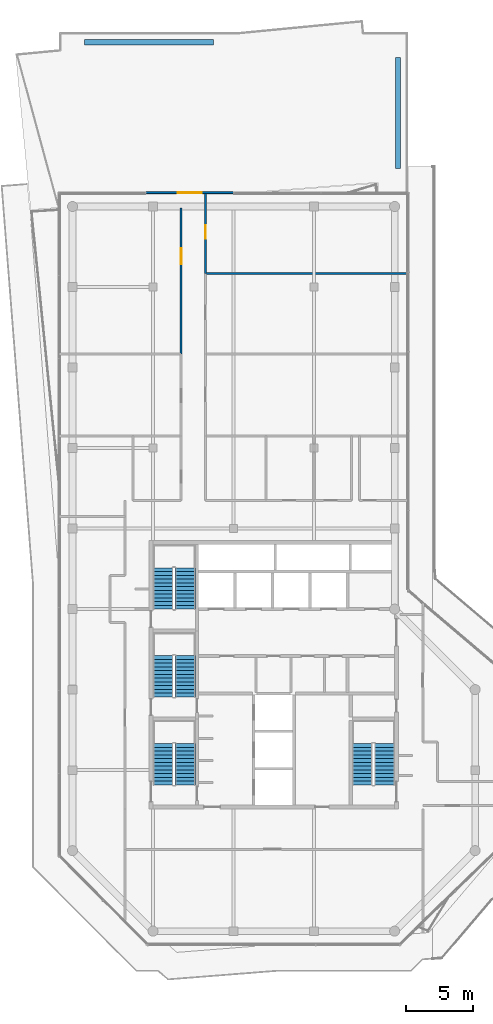
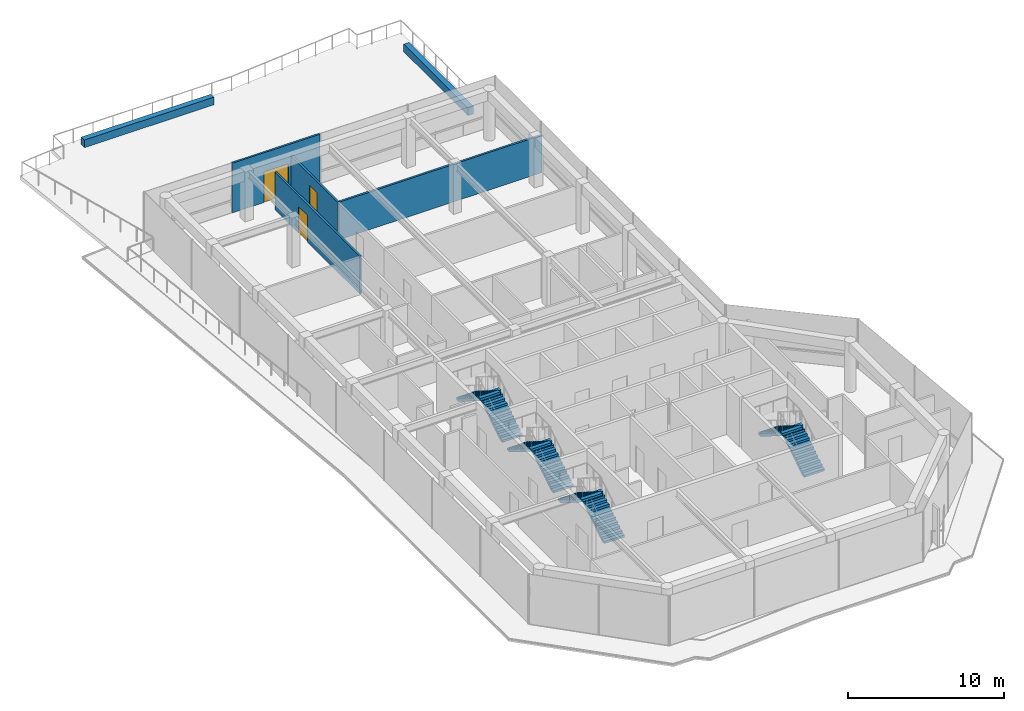
# One storey, part 18 of 20: 8 stair flights, 6 walls, 3 doors, 3 openings, 4 elements without a shape of their own.
"""IFC4 building model written with IfcOpenShell, lengths in metres."""

from ifc_helpers import new_model, si_unit, direction, frame, frame_2d, origin, place, context, subcontext, project, spatial, polyline, rectangle, outline, extrude, material, layer, layer_set, type_object, element, fill, aggregate, save


model = new_model("IFC4")

# Units and contexts
model_context = context("Model", 3, precision=1e-05, world=origin(), true_north=direction((0.0, 1.0)))
body_context = subcontext(model_context, "Body", "Model", "MODEL_VIEW")
ifc_project = project(units=[si_unit("LENGTHUNIT", "METRE"), si_unit("AREAUNIT", "SQUARE_METRE"), si_unit("VOLUMEUNIT", "CUBIC_METRE"), si_unit("PLANEANGLEUNIT", "RADIAN"), si_unit("MASSUNIT", "GRAM", prefix="KILO")], contexts=[model_context])

# Site, building, storey
site_placement = place(None, origin())
site = spatial("IfcSite", under=ifc_project, at=site_placement, CompositionType="ELEMENT")
building_placement = place(site_placement, origin())
building = spatial("IfcBuilding", under=site, at=building_placement, Name="Welwitschia Terrace Campus", CompositionType="ELEMENT")
storey_placement = place(building_placement, frame((0.0, 0.0, 314.60009765625)))
storey = spatial("IfcBuildingStorey", under=building, at=storey_placement, Name="L70", CompositionType="ELEMENT", Elevation=314.60009765625)

# Wall, opening, door
ifc_material_1 = material(Name="Concrete C40/50", Category="concrete")
ifc_layer_1 = layer(ifc_material_1, 0.139892578125)
ifc_layer_set_1 = layer_set([ifc_layer_1], Name="Concrete C40/50")
wall_type_1 = type_object("IfcWallType", Name="Clad wall 140", PredefinedType="SOLIDWALL", material=ifc_layer_set_1)
wall_1_placement = place(storey_placement, frame((12.0, 51.030029296875, 0.0), z_axis=(0.0, 0.0, 1.0), x_axis=(-1.0, 0.0, 0.0)))
wall_1 = element("IfcWall", 1, at=wall_1_placement, inside=storey, type_object=wall_type_1, Name="Clad wall L70.terrace door 0", PredefinedType="SOLIDWALL", context=body_context, shape_type="SweptSolid", body=[
    extrude(rectangle(XDim=6.514892578125, YDim=0.139892578125, at=frame_2d((3.25732421875, 0.0))), origin(), (0.0, 0.0, 1.0), 3.89990234375),
])
opening_1_placement = place(wall_1_placement, frame((2.357421875, 0.0, 0.0)))
opening_1 = element("IfcOpeningElement", 2, at=opening_1_placement, cuts=wall_1, Name="Opening DE3", PredefinedType="OPENING", context=body_context, shape_type="SweptSolid", body=[
    extrude(rectangle(XDim=1.800048828125, YDim=2.39990234375, at=frame_2d((0.89990234375, 1.199951171875))), frame((0.0, 0.079833984375, 0.0), z_axis=(0.0, -1.0, 0.0), x_axis=(1.0, 0.0, 0.0)), (0.0, 0.0, 1.0), 0.159912109375),
])
ifc_material_2 = material(Name="Bronze anodised aluminium and glass", Category="aluminium")
door_type_1 = type_object("IfcDoorType", Name="Terrace door 1800x2400", OperationType="DOUBLE_DOOR_DOUBLE_SWING", PredefinedType="DOOR", material=ifc_material_2)
door_1_placement = place(opening_1_placement, origin())
door_1 = element("IfcDoor", 3, at=door_1_placement, inside=storey, type_object=door_type_1, Name="Door L70:T0", OperationType="DOUBLE_DOOR_DOUBLE_SWING", OverallHeight=2.39990234375, OverallWidth=1.800048828125, PredefinedType="DOOR", context=body_context, shape_type="SweptSolid", body=[
    extrude(rectangle(XDim=1.800048828125, YDim=2.39990234375, at=frame_2d((0.89990234375, 1.199951171875))), frame((0.0, 0.02490234375, 0.0), z_axis=(0.0, -1.0, 0.0), x_axis=(1.0, 0.0, 0.0)), (0.0, 0.0, 1.0), 0.050048828125),
])
fill(opening_1, door_1)

ifc_material_3 = material(Name="Gypsum board on steel studs", Category="steel")
ifc_layer_2 = layer(ifc_material_3, 0.14990234375)
ifc_layer_set_2 = layer_set([ifc_layer_2], Name="Gypsum board on steel studs")
wall_type_2 = type_object("IfcWallType", Name="Corridor partition 150 EI 30", PredefinedType="PARTITIONING", material=ifc_layer_set_2)
wall_2_placement = place(storey_placement, frame((8.10009765625, 39.0, 0.0), z_axis=(0.0, 0.0, 1.0), x_axis=(0.0, 1.0, 0.0)))
wall_2 = element("IfcWall", 4, at=wall_2_placement, inside=storey, type_object=wall_type_2, Name="Partition", PredefinedType="PARTITIONING", context=body_context, shape_type="SweptSolid", body=[
    extrude(rectangle(XDim=10.89990234375, YDim=0.14990234375, at=frame_2d((5.449951171875, 0.0))), origin(), (0.0, 0.0, 1.0), 2.949951171875),
])
opening_2_placement = place(wall_2_placement, frame((6.679931640625, 0.0, 0.0)))
opening_2 = element("IfcOpeningElement", 5, at=opening_2_placement, cuts=wall_2, Name="Opening DI12", PredefinedType="OPENING", context=body_context, shape_type="SweptSolid", body=[
    extrude(rectangle(XDim=1.199951171875, YDim=2.10009765625, at=frame_2d((0.60009765625, 1.050048828125))), frame((0.0, 0.0849609375, 0.0), z_axis=(0.0, -1.0, 0.0), x_axis=(1.0, 0.0, 0.0)), (0.0, 0.0, 1.0), 0.169921875),
])
ifc_material_4 = material(Name="Timber veneered door", Category="wood")
door_type_2 = type_object("IfcDoorType", Name="Interior door DI12", OperationType="NOTDEFINED", PredefinedType="DOOR", material=ifc_material_4)
door_2_placement = place(opening_2_placement, origin())
door_2 = element("IfcDoor", 6, at=door_2_placement, inside=storey, type_object=door_type_2, Name="Door L70 1232", OperationType="SINGLE_SWING_LEFT", OverallHeight=2.10009765625, OverallWidth=1.199951171875, PredefinedType="DOOR", context=body_context, shape_type="SweptSolid", body=[
    extrude(rectangle(XDim=1.199951171875, YDim=2.10009765625, at=frame_2d((0.60009765625, 1.050048828125))), frame((0.0, 0.02490234375, 0.0), z_axis=(0.0, -1.0, 0.0), x_axis=(1.0, 0.0, 0.0)), (0.0, 0.0, 1.0), 0.050048828125),
])
fill(opening_2, door_2)

# Wall
wall_3_placement = place(storey_placement, frame((9.89990234375, 45.0, 0.0), z_axis=(0.0, 0.0, 1.0), x_axis=(1.0, 0.0, 0.0)))
element("IfcWall", 7, at=wall_3_placement, inside=storey, type_object=wall_type_2, Name="Partition", PredefinedType="PARTITIONING", context=body_context, shape_type="SweptSolid", body=[
    extrude(rectangle(XDim=15.0751953125, YDim=0.14990234375, at=frame_2d((7.53759765625, 0.0))), origin(), (0.0, 0.0, 1.0), 2.949951171875),
])

# Wall, opening, door
wall_4_placement = place(storey_placement, frame((9.89990234375, 50.97998046875, 0.0), z_axis=(0.0, 0.0, 1.0), x_axis=(0.0, -1.0, 0.0)))
wall_4 = element("IfcWall", 8, at=wall_4_placement, inside=storey, type_object=wall_type_2, Name="Partition", PredefinedType="PARTITIONING", context=body_context, shape_type="SweptSolid", body=[
    extrude(rectangle(XDim=5.97998046875, YDim=0.14990234375, at=frame_2d((2.989990234375, 0.0))), origin(), (0.0, 0.0, 1.0), 2.949951171875),
])
opening_3_placement = place(wall_4_placement, frame((2.3798828125, 0.0, 0.0)))
opening_3 = element("IfcOpeningElement", 9, at=opening_3_placement, cuts=wall_4, Name="Opening DI10", PredefinedType="OPENING", context=body_context, shape_type="SweptSolid", body=[
    extrude(rectangle(XDim=1.0, YDim=2.10009765625, at=frame_2d((0.5, 1.050048828125))), frame((0.0, 0.0849609375, 0.0), z_axis=(0.0, -1.0, 0.0), x_axis=(1.0, 0.0, 0.0)), (0.0, 0.0, 1.0), 0.169921875),
])
ifc_material_5 = material(Name="Timber veneered door", Category="wood")
door_type_3 = type_object("IfcDoorType", Name="Interior door DI10", OperationType="NOTDEFINED", PredefinedType="DOOR", material=ifc_material_5)
door_3_placement = place(opening_3_placement, origin())
door_3 = element("IfcDoor", 10, at=door_3_placement, inside=storey, type_object=door_type_3, Name="Door L70 1235", OperationType="SINGLE_SWING_RIGHT", OverallHeight=2.10009765625, OverallWidth=1.0, PredefinedType="DOOR", context=body_context, shape_type="SweptSolid", body=[
    extrude(rectangle(XDim=1.0, YDim=2.10009765625, at=frame_2d((0.5, 1.050048828125))), frame((0.0, 0.02490234375, 0.0), z_axis=(0.0, -1.0, 0.0), x_axis=(1.0, 0.0, 0.0)), (0.0, 0.0, 1.0), 0.050048828125),
])
fill(opening_3, door_3)

# Walls
ifc_material_6 = material(Name="Concrete C40/50", Category="concrete")
ifc_layer_3 = layer(ifc_material_6, 0.39990234375)
ifc_layer_set_3 = layer_set([ifc_layer_3], Name="Concrete C40/50")
wall_type_3 = type_object("IfcWallType", Name="Planter wall 400", PredefinedType="SOLIDWALL", material=ifc_layer_set_3)
wall_5_placement = place(storey_placement, frame((0.89990234375, 62.25, 0.0), z_axis=(0.0, 0.0, 1.0), x_axis=(1.0, 0.0, 0.0)))
element("IfcWall", 11, at=wall_5_placement, inside=storey, type_object=wall_type_3, Name="PLANTER", PredefinedType="SOLIDWALL", context=body_context, shape_type="SweptSolid", body=[
    extrude(rectangle(XDim=9.615478515625, YDim=0.39990234375, at=frame_2d((4.8076171875, 0.0))), origin(), (0.0, 0.0, 1.0), 0.599853515625),
])
wall_6_placement = place(storey_placement, frame((24.25, 61.10009765625, 0.0), z_axis=(0.0, 0.0, 1.0), x_axis=(0.0, -1.0, 0.0)))
element("IfcWall", 12, at=wall_6_placement, inside=storey, type_object=wall_type_3, Name="PLANTER", PredefinedType="SOLIDWALL", context=body_context, shape_type="SweptSolid", body=[
    extrude(rectangle(XDim=8.27001953125, YDim=0.39990234375, at=frame_2d((4.135009765625, 0.0))), origin(), (0.0, 0.0, 1.0), 0.599853515625),
])

# Stair, stair flights
ifc_material_7 = material(Name="Concrete C40/50", Category="concrete")
stair_type = type_object("IfcStairType", Name="Stair 24R 175 W1500", PredefinedType="HALF_TURN_STAIR", material=ifc_material_7)
stair_1_placement = place(storey_placement, origin())
stair_1 = element("IfcStair", 13, at=stair_1_placement, inside=storey, type_object=stair_type, Name="L70 Exit stair S1", PredefinedType="HALF_TURN_STAIR")
ifc_material_8 = material(Name="Concrete C40/50", Category="concrete")
stair_flight_type = type_object("IfcStairFlightType", Name="Stair flight 24R 175 W1500", PredefinedType="STRAIGHT", material=ifc_material_8)
stair_flight_1_placement = place(storey_placement, frame((8.39990234375, 6.89990234375, 0.0), z_axis=(0.0, 0.0, 1.0), x_axis=(0.0, 1.0, 0.0)))
stair_flight_1 = element("IfcStairFlight", 14, at=stair_flight_1_placement, type_object=stair_flight_type, Name="S1 flight 1", NumberOfRisers=12, NumberOfTreads=11, PredefinedType="STRAIGHT", RiserHeight=0.175, TreadLength=0.28, context=body_context, shape_type="SweptSolid", body=[
    extrude(outline(polyline([(0.0, 0.0), (0.0, 0.175048828125), (0.280029296875, 0.175048828125), (0.280029296875, 0.35009765625), (0.56005859375, 0.35009765625), (0.56005859375, 0.52490234375), (0.840087890625, 0.52490234375), (0.840087890625, 0.699951171875), (1.1201171875, 0.699951171875), (1.1201171875, 0.875), (1.39990234375, 0.875), (1.39990234375, 1.050048828125), (1.679931640625, 1.050048828125), (1.679931640625, 1.22509765625), (1.9599609375, 1.22509765625), (1.9599609375, 1.39990234375), (2.239990234375, 1.39990234375), (2.239990234375, 1.574951171875), (2.52001953125, 1.574951171875), (2.52001953125, 1.75), (2.800048828125, 1.75), (2.800048828125, 1.925048828125), (3.080078125, 1.925048828125), (3.080078125, 2.10009765625), (3.080078125, 1.748291015625), (0.28271484375, 0.0), (0.0, 0.0)])), frame((0.0, 0.75, 0.0), z_axis=(0.0, -1.0, 0.0), x_axis=(1.0, 0.0, 0.0)), (0.0, 0.0, 1.0), 1.5),
])
stair_flight_2_placement = place(storey_placement, frame((6.75, 9.97998046875, 2.099853515625), z_axis=(0.0, 0.0, 1.0), x_axis=(0.0, -1.0, 0.0)))
stair_flight_2 = element("IfcStairFlight", 15, at=stair_flight_2_placement, type_object=stair_flight_type, Name="S1 flight 2", NumberOfRisers=12, NumberOfTreads=11, PredefinedType="STRAIGHT", RiserHeight=0.175, TreadLength=0.28, context=body_context, shape_type="SweptSolid", body=[
    extrude(outline(polyline([(0.0, 0.0), (0.0, 0.175048828125), (0.280029296875, 0.175048828125), (0.280029296875, 0.35009765625), (0.56005859375, 0.35009765625), (0.56005859375, 0.52490234375), (0.840087890625, 0.52490234375), (0.840087890625, 0.699951171875), (1.1201171875, 0.699951171875), (1.1201171875, 0.875), (1.39990234375, 0.875), (1.39990234375, 1.050048828125), (1.679931640625, 1.050048828125), (1.679931640625, 1.22509765625), (1.9599609375, 1.22509765625), (1.9599609375, 1.39990234375), (2.239990234375, 1.39990234375), (2.239990234375, 1.574951171875), (2.52001953125, 1.574951171875), (2.52001953125, 1.75), (2.800048828125, 1.75), (2.800048828125, 1.925048828125), (3.080078125, 1.925048828125), (3.080078125, 2.10009765625), (3.080078125, 1.748291015625), (0.28271484375, 0.0), (0.0, 0.0)])), frame((0.0, 0.75, 0.0), z_axis=(0.0, -1.0, 0.0), x_axis=(1.0, 0.0, 0.0)), (0.0, 0.0, 1.0), 1.5),
])
aggregate(stair_1, [stair_flight_1, stair_flight_2])

stair_2_placement = place(storey_placement, origin())
stair_2 = element("IfcStair", 16, at=stair_2_placement, inside=storey, type_object=stair_type, Name="L70 Exit stair S3", PredefinedType="HALF_TURN_STAIR")
stair_flight_3_placement = place(storey_placement, frame((8.39990234375, 13.449951171875, 0.0), z_axis=(0.0, 0.0, 1.0), x_axis=(0.0, 1.0, 0.0)))
stair_flight_3 = element("IfcStairFlight", 17, at=stair_flight_3_placement, type_object=stair_flight_type, Name="S3 flight 1", NumberOfRisers=12, NumberOfTreads=11, PredefinedType="STRAIGHT", RiserHeight=0.175, TreadLength=0.28, context=body_context, shape_type="SweptSolid", body=[
    extrude(outline(polyline([(0.0, 0.0), (0.0, 0.175048828125), (0.280029296875, 0.175048828125), (0.280029296875, 0.35009765625), (0.56005859375, 0.35009765625), (0.56005859375, 0.52490234375), (0.840087890625, 0.52490234375), (0.840087890625, 0.699951171875), (1.1201171875, 0.699951171875), (1.1201171875, 0.875), (1.39990234375, 0.875), (1.39990234375, 1.050048828125), (1.679931640625, 1.050048828125), (1.679931640625, 1.22509765625), (1.9599609375, 1.22509765625), (1.9599609375, 1.39990234375), (2.239990234375, 1.39990234375), (2.239990234375, 1.574951171875), (2.52001953125, 1.574951171875), (2.52001953125, 1.75), (2.800048828125, 1.75), (2.800048828125, 1.925048828125), (3.080078125, 1.925048828125), (3.080078125, 2.10009765625), (3.080078125, 1.748291015625), (0.28271484375, 0.0), (0.0, 0.0)])), frame((0.0, 0.75, 0.0), z_axis=(0.0, -1.0, 0.0), x_axis=(1.0, 0.0, 0.0)), (0.0, 0.0, 1.0), 1.5),
])
stair_flight_4_placement = place(storey_placement, frame((6.75, 16.530029296875, 2.099853515625), z_axis=(0.0, 0.0, 1.0), x_axis=(0.0, -1.0, 0.0)))
stair_flight_4 = element("IfcStairFlight", 18, at=stair_flight_4_placement, type_object=stair_flight_type, Name="S3 flight 2", NumberOfRisers=12, NumberOfTreads=11, PredefinedType="STRAIGHT", RiserHeight=0.175, TreadLength=0.28, context=body_context, shape_type="SweptSolid", body=[
    extrude(outline(polyline([(0.0, 0.0), (0.0, 0.175048828125), (0.280029296875, 0.175048828125), (0.280029296875, 0.35009765625), (0.56005859375, 0.35009765625), (0.56005859375, 0.52490234375), (0.840087890625, 0.52490234375), (0.840087890625, 0.699951171875), (1.1201171875, 0.699951171875), (1.1201171875, 0.875), (1.39990234375, 0.875), (1.39990234375, 1.050048828125), (1.679931640625, 1.050048828125), (1.679931640625, 1.22509765625), (1.9599609375, 1.22509765625), (1.9599609375, 1.39990234375), (2.239990234375, 1.39990234375), (2.239990234375, 1.574951171875), (2.52001953125, 1.574951171875), (2.52001953125, 1.75), (2.800048828125, 1.75), (2.800048828125, 1.925048828125), (3.080078125, 1.925048828125), (3.080078125, 2.10009765625), (3.080078125, 1.748291015625), (0.28271484375, 0.0), (0.0, 0.0)])), frame((0.0, 0.75, 0.0), z_axis=(0.0, -1.0, 0.0), x_axis=(1.0, 0.0, 0.0)), (0.0, 0.0, 1.0), 1.5),
])
aggregate(stair_2, [stair_flight_3, stair_flight_4])

stair_3_placement = place(storey_placement, origin())
stair_3 = element("IfcStair", 19, at=stair_3_placement, inside=storey, type_object=stair_type, Name="L70 Exit stair S4", PredefinedType="HALF_TURN_STAIR")
stair_flight_5_placement = place(storey_placement, frame((8.39990234375, 20.0, 0.0), z_axis=(0.0, 0.0, 1.0), x_axis=(0.0, 1.0, 0.0)))
stair_flight_5 = element("IfcStairFlight", 20, at=stair_flight_5_placement, type_object=stair_flight_type, Name="S4 flight 1", NumberOfRisers=12, NumberOfTreads=11, PredefinedType="STRAIGHT", RiserHeight=0.175, TreadLength=0.28, context=body_context, shape_type="SweptSolid", body=[
    extrude(outline(polyline([(0.0, 0.0), (0.0, 0.175048828125), (0.280029296875, 0.175048828125), (0.280029296875, 0.35009765625), (0.56005859375, 0.35009765625), (0.56005859375, 0.52490234375), (0.840087890625, 0.52490234375), (0.840087890625, 0.699951171875), (1.1201171875, 0.699951171875), (1.1201171875, 0.875), (1.39990234375, 0.875), (1.39990234375, 1.050048828125), (1.679931640625, 1.050048828125), (1.679931640625, 1.22509765625), (1.9599609375, 1.22509765625), (1.9599609375, 1.39990234375), (2.239990234375, 1.39990234375), (2.239990234375, 1.574951171875), (2.52001953125, 1.574951171875), (2.52001953125, 1.75), (2.800048828125, 1.75), (2.800048828125, 1.925048828125), (3.080078125, 1.925048828125), (3.080078125, 2.10009765625), (3.080078125, 1.748291015625), (0.28271484375, 0.0), (0.0, 0.0)])), frame((0.0, 0.75, 0.0), z_axis=(0.0, -1.0, 0.0), x_axis=(1.0, 0.0, 0.0)), (0.0, 0.0, 1.0), 1.5),
])
stair_flight_6_placement = place(storey_placement, frame((6.75, 23.080078125, 2.099853515625), z_axis=(0.0, 0.0, 1.0), x_axis=(0.0, -1.0, 0.0)))
stair_flight_6 = element("IfcStairFlight", 21, at=stair_flight_6_placement, type_object=stair_flight_type, Name="S4 flight 2", NumberOfRisers=12, NumberOfTreads=11, PredefinedType="STRAIGHT", RiserHeight=0.175, TreadLength=0.28, context=body_context, shape_type="SweptSolid", body=[
    extrude(outline(polyline([(0.0, 0.0), (0.0, 0.175048828125), (0.280029296875, 0.175048828125), (0.280029296875, 0.35009765625), (0.56005859375, 0.35009765625), (0.56005859375, 0.52490234375), (0.840087890625, 0.52490234375), (0.840087890625, 0.699951171875), (1.1201171875, 0.699951171875), (1.1201171875, 0.875), (1.39990234375, 0.875), (1.39990234375, 1.050048828125), (1.679931640625, 1.050048828125), (1.679931640625, 1.22509765625), (1.9599609375, 1.22509765625), (1.9599609375, 1.39990234375), (2.239990234375, 1.39990234375), (2.239990234375, 1.574951171875), (2.52001953125, 1.574951171875), (2.52001953125, 1.75), (2.800048828125, 1.75), (2.800048828125, 1.925048828125), (3.080078125, 1.925048828125), (3.080078125, 2.10009765625), (3.080078125, 1.748291015625), (0.28271484375, 0.0), (0.0, 0.0)])), frame((0.0, 0.75, 0.0), z_axis=(0.0, -1.0, 0.0), x_axis=(1.0, 0.0, 0.0)), (0.0, 0.0, 1.0), 1.5),
])
aggregate(stair_3, [stair_flight_5, stair_flight_6])

stair_4_placement = place(storey_placement, origin())
stair_4 = element("IfcStair", 22, at=stair_4_placement, inside=storey, type_object=stair_type, Name="L70 Exit stair S2", PredefinedType="HALF_TURN_STAIR")
stair_flight_7_placement = place(storey_placement, frame((23.25, 6.89990234375, 0.0), z_axis=(0.0, 0.0, 1.0), x_axis=(0.0, 1.0, 0.0)))
stair_flight_7 = element("IfcStairFlight", 23, at=stair_flight_7_placement, type_object=stair_flight_type, Name="S2 flight 1", NumberOfRisers=12, NumberOfTreads=11, PredefinedType="STRAIGHT", RiserHeight=0.175, TreadLength=0.28, context=body_context, shape_type="SweptSolid", body=[
    extrude(outline(polyline([(0.0, 0.0), (0.0, 0.175048828125), (0.280029296875, 0.175048828125), (0.280029296875, 0.35009765625), (0.56005859375, 0.35009765625), (0.56005859375, 0.52490234375), (0.840087890625, 0.52490234375), (0.840087890625, 0.699951171875), (1.1201171875, 0.699951171875), (1.1201171875, 0.875), (1.39990234375, 0.875), (1.39990234375, 1.050048828125), (1.679931640625, 1.050048828125), (1.679931640625, 1.22509765625), (1.9599609375, 1.22509765625), (1.9599609375, 1.39990234375), (2.239990234375, 1.39990234375), (2.239990234375, 1.574951171875), (2.52001953125, 1.574951171875), (2.52001953125, 1.75), (2.800048828125, 1.75), (2.800048828125, 1.925048828125), (3.080078125, 1.925048828125), (3.080078125, 2.10009765625), (3.080078125, 1.748291015625), (0.28271484375, 0.0), (0.0, 0.0)])), frame((0.0, 0.75, 0.0), z_axis=(0.0, -1.0, 0.0), x_axis=(1.0, 0.0, 0.0)), (0.0, 0.0, 1.0), 1.5),
])
stair_flight_8_placement = place(storey_placement, frame((21.60009765625, 9.97998046875, 2.099853515625), z_axis=(0.0, 0.0, 1.0), x_axis=(0.0, -1.0, 0.0)))
stair_flight_8 = element("IfcStairFlight", 24, at=stair_flight_8_placement, type_object=stair_flight_type, Name="S2 flight 2", NumberOfRisers=12, NumberOfTreads=11, PredefinedType="STRAIGHT", RiserHeight=0.175, TreadLength=0.28, context=body_context, shape_type="SweptSolid", body=[
    extrude(outline(polyline([(0.0, 0.0), (0.0, 0.175048828125), (0.280029296875, 0.175048828125), (0.280029296875, 0.35009765625), (0.56005859375, 0.35009765625), (0.56005859375, 0.52490234375), (0.840087890625, 0.52490234375), (0.840087890625, 0.699951171875), (1.1201171875, 0.699951171875), (1.1201171875, 0.875), (1.39990234375, 0.875), (1.39990234375, 1.050048828125), (1.679931640625, 1.050048828125), (1.679931640625, 1.22509765625), (1.9599609375, 1.22509765625), (1.9599609375, 1.39990234375), (2.239990234375, 1.39990234375), (2.239990234375, 1.574951171875), (2.52001953125, 1.574951171875), (2.52001953125, 1.75), (2.800048828125, 1.75), (2.800048828125, 1.925048828125), (3.080078125, 1.925048828125), (3.080078125, 2.10009765625), (3.080078125, 1.748291015625), (0.28271484375, 0.0), (0.0, 0.0)])), frame((0.0, 0.75, 0.0), z_axis=(0.0, -1.0, 0.0), x_axis=(1.0, 0.0, 0.0)), (0.0, 0.0, 1.0), 1.5),
])
aggregate(stair_4, [stair_flight_7, stair_flight_8])

save(model, "model.ifc")
